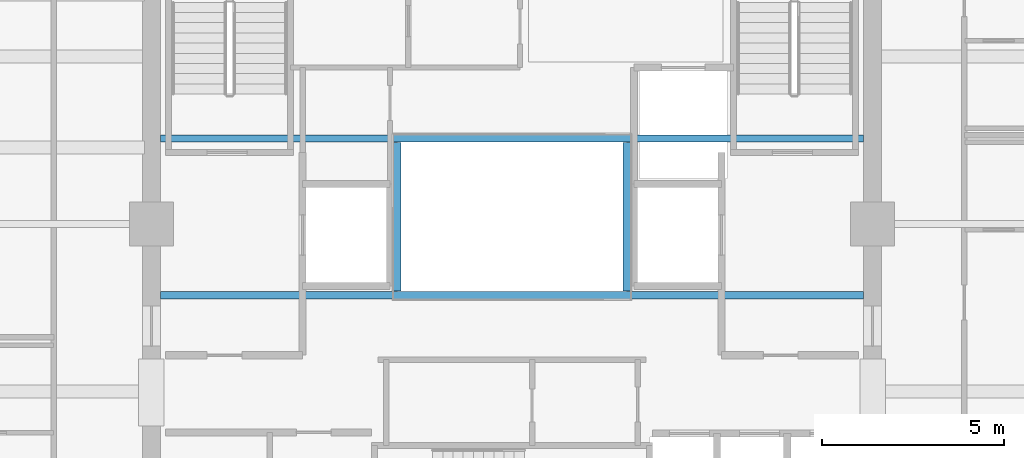
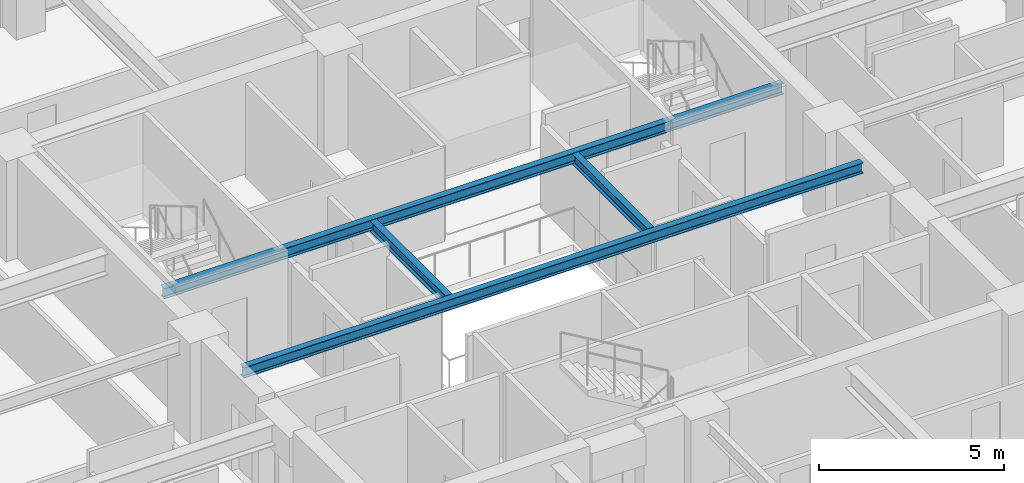
# One storey, part 11 of 34: 4 beams.
"""IFC4 building model written with IfcOpenShell, lengths in metres."""

from ifc_helpers import new_model, si_unit, direction, frame, origin, origin_2d, place, context, subcontext, project, spatial, i_section, extrude, material, material_profile, profile_set, type_object, element, save


model = new_model("IFC4")

# Units and contexts
model_context = context("Model", 3, precision=1e-05, world=origin(), true_north=direction((0.0, 1.0)))
body_context = subcontext(model_context, "Body", "Model", "MODEL_VIEW")
ifc_project = project(units=[si_unit("LENGTHUNIT", "METRE"), si_unit("AREAUNIT", "SQUARE_METRE"), si_unit("VOLUMEUNIT", "CUBIC_METRE"), si_unit("PLANEANGLEUNIT", "RADIAN"), si_unit("MASSUNIT", "GRAM", prefix="KILO")], contexts=[model_context])

# Site, building, storey
site_placement = place(None, origin())
site = spatial("IfcSite", under=ifc_project, at=site_placement, CompositionType="ELEMENT")
building_placement = place(site_placement, origin())
building = spatial("IfcBuilding", under=site, at=building_placement, Name="Kolvaren Belvedere", CompositionType="ELEMENT")
storey_placement = place(building_placement, frame((0.0, 0.0, 166.800048828125)))
storey = spatial("IfcBuildingStorey", under=building, at=storey_placement, Name="L48", CompositionType="ELEMENT", Elevation=166.800048828125)

# Beams
ifc_material = material(Name="Structural steel ASTM A992 Grade 50", Category="steel")
ifc_material_profile = material_profile(ifc_material, i_section(OverallWidth=0.2041015625, OverallDepth=0.35009765625, WebThickness=0.008544921875, FlangeThickness=0.01513671875, FilletRadius=0.013916015625, at=origin_2d()), Name="W14X48")
ifc_profile_set = profile_set([ifc_material_profile], Name="Structural steel ASTM A992 Grade 50")
beam_type = type_object("IfcBeamType", Name="BM-ATRIUM-W14X48", PredefinedType="BEAM", material=ifc_profile_set)
for number, where, z_axis, x_axis, name in (
    (1, (-9.64990234375, -1.949951171875, 2.925048828125), (1.0, 0.0, 0.0), (0.0, 1.0, 0.0), "L48 Central Atrium South Girder AS"),
    (2, (-9.64990234375, 2.35009765625, 2.925048828125), (1.0, 0.0, 0.0), (0.0, 1.0, 0.0), "L48 Central Atrium North Girder AN"),
):
    element("IfcBeam", number, at=place(storey_placement, frame(where, z_axis=z_axis, x_axis=x_axis)), inside=storey, type_object=beam_type, Name=name, PredefinedType="BEAM", context=body_context, shape_type="SweptSolid", body=[
        extrude(i_section(OverallWidth=0.2041015625, OverallDepth=0.35009765625, WebThickness=0.008544921875, FlangeThickness=0.01513671875, FilletRadius=0.013916015625, at=origin_2d()), origin(), (0.0, 0.0, 1.0), 19.2998046875),
    ])
for number, where, z_axis, x_axis, name in (
    (3, (-3.14990234375, -1.840087890625, 2.925048828125), (0.0, 1.0, 0.0), (-1.0, 0.0, 0.0), "L48 Central Atrium West Edge Beam AW"),
    (4, (3.14990234375, -1.840087890625, 2.925048828125), (0.0, 1.0, 0.0), (-1.0, 0.0, 0.0), "L48 Central Atrium East Edge Beam AE"),
):
    element("IfcBeam", number, at=place(storey_placement, frame(where, z_axis=z_axis, x_axis=x_axis)), inside=storey, type_object=beam_type, Name=name, PredefinedType="BEAM", context=body_context, shape_type="SweptSolid", body=[
        extrude(i_section(OverallWidth=0.2041015625, OverallDepth=0.35009765625, WebThickness=0.008544921875, FlangeThickness=0.01513671875, FilletRadius=0.013916015625, at=origin_2d()), origin(), (0.0, 0.0, 1.0), 4.080078125),
    ])

save(model, "model.ifc")
